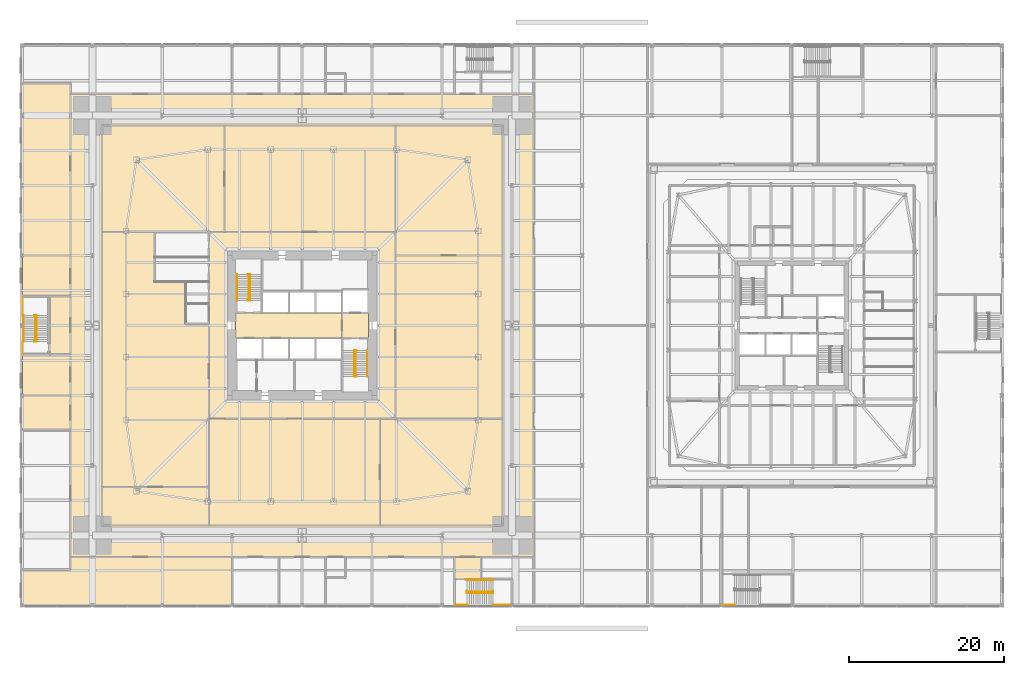
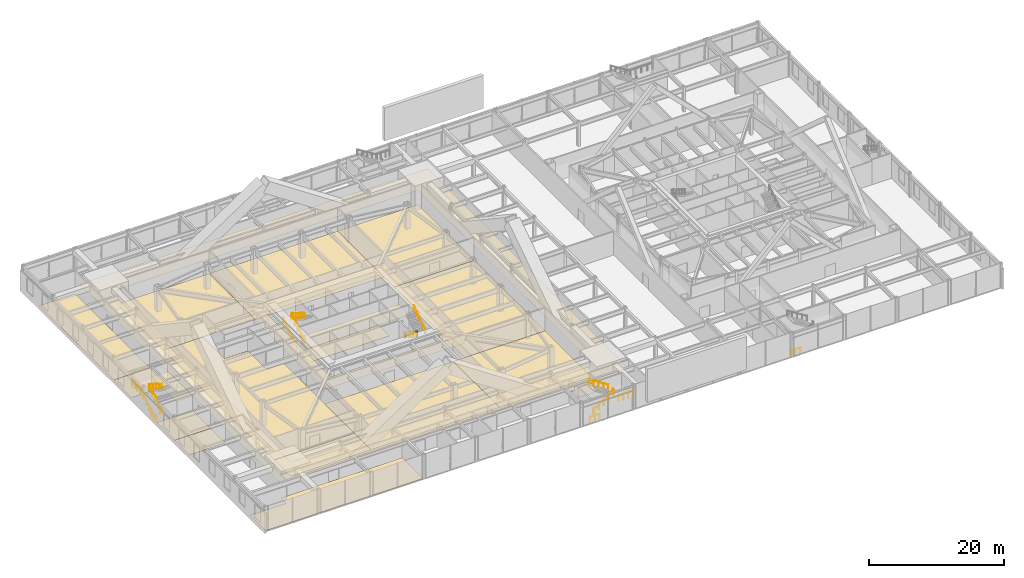
# One storey, part 30 of 32: 20 coverings, 17 railings.
"""IFC4 building model written with IfcOpenShell, lengths in metres."""

from ifc_helpers import new_model, si_unit, direction, frame, origin, origin_2d, place, context, subcontext, project, spatial, polyline, circle, outline, extrude, material, layer, layer_set, constituent, constituent_set, type_object, element, save


model = new_model("IFC4")

# Units and contexts
model_context = context("Model", 3, precision=1e-05, world=origin(), true_north=direction((0.0, 1.0)))
body_context = subcontext(model_context, "Body", "Model", "MODEL_VIEW")
ifc_project = project(units=[si_unit("LENGTHUNIT", "METRE"), si_unit("AREAUNIT", "SQUARE_METRE"), si_unit("VOLUMEUNIT", "CUBIC_METRE"), si_unit("PLANEANGLEUNIT", "RADIAN"), si_unit("MASSUNIT", "GRAM", prefix="KILO")], contexts=[model_context])

# Site, building, storey
site_placement = place(None, origin())
site = spatial("IfcSite", under=ifc_project, at=site_placement, CompositionType="ELEMENT")
building_placement = place(site_placement, origin())
building = spatial("IfcBuilding", under=site, at=building_placement, Name="Iwan Alto Co-Living Towers", CompositionType="ELEMENT")
storey_placement = place(building_placement, frame((0.0, 0.0, 6.0)))
storey = spatial("IfcBuildingStorey", under=building, at=storey_placement, Name="L01", CompositionType="ELEMENT", Elevation=6.0)

# Coverings
ifc_material_1 = material(Name="Mineral fibre acoustic tiles on steel grid", Category="steel")
ifc_layer_1 = layer(ifc_material_1, 0.02001953125)
ifc_layer_set_1 = layer_set([ifc_layer_1], Name="ACOUSTIC TILE CEILING 20")
covering_type_1 = type_object("IfcCoveringType", Name="ACOUSTIC TILE CEILING 20", PredefinedType="CEILING", material=ifc_layer_set_1)
covering_1_placement = place(storey_placement, frame((0.0, 0.0, 2.60009765625)))
element("IfcCovering", 1, at=covering_1_placement, inside=storey, type_object=covering_type_1, Name="Ceiling Lift lobby L01", PredefinedType="CEILING", context=body_context, shape_type="SweptSolid", body=[
    extrude(outline(polyline([(-8.550048828125, -1.60009765625), (-8.550048828125, 1.60009765625), (5.14990234375, 1.60009765625), (5.14990234375, -1.60009765625), (-8.550048828125, -1.60009765625)])), origin(), (0.0, 0.0, 1.0), 0.02001953125),
])
covering_2_placement = place(storey_placement, frame((0.0, 0.0, 2.60009765625)))
element("IfcCovering", 2, at=covering_2_placement, inside=storey, type_object=covering_type_1, Name="Ceiling Firefighting lobby L01", PredefinedType="CEILING", context=body_context, shape_type="SweptSolid", body=[
    extrude(outline(polyline([(5.14990234375, -1.60009765625), (5.14990234375, 1.60009765625), (8.550048828125, 1.60009765625), (8.550048828125, -1.60009765625), (5.14990234375, -1.60009765625)])), origin(), (0.0, 0.0, 1.0), 0.02001953125),
])

# Railings
ifc_material_2 = material(Name="Steel ASTM A500 Gr C", Category="steel")
ifc_constituent_1 = constituent(ifc_material_2, Name="Rails and posts", Category="Framing")
ifc_material_3 = material(Name="Steel ASTM A36", Category="steel")
ifc_constituent_2 = constituent(ifc_material_3, Name="Bar infill", Category="Infill")
ifc_constituent_set = constituent_set(constituents=[ifc_constituent_1, ifc_constituent_2], Name="STAIR GUARD 1100")
railing_type_1 = type_object("IfcRailingType", Name="STAIR GUARD 1100", PredefinedType="GUARDRAIL", material=ifc_constituent_set)
railing_1_placement = place(storey_placement, frame((-34.300048828125, -2.080078125, 0.0)))
element("IfcRailing", 3, at=railing_1_placement, inside=storey, type_object=railing_type_1, Name="Stair PS1 well guard L01", PredefinedType="GUARDRAIL", context=body_context, shape_type="SweptSolid", body=[
    extrude(circle(Radius=0.02392578125, at=origin_2d()), frame((0.0, 0.0, 1.076171875), z_axis=(0.0, 0.830915400975, 0.556398774641), x_axis=(-1.0, 0.0, 0.0)), (0.0, 0.0, 1.0), 4.0439453125),
    extrude(circle(Radius=0.02392578125, at=origin_2d()), frame((-0.14990234375, 0.0, 1.076171875), z_axis=(1.0, 0.0, 0.0), x_axis=(0.0, 1.0, 0.0)), (0.0, 0.0, 1.0), 0.300048828125),
    extrude(circle(Radius=0.02392578125, at=origin_2d()), frame((-0.14990234375, 3.360107421875, 3.326171875), z_axis=(1.0, 0.0, 0.0), x_axis=(0.0, 1.0, 0.0)), (0.0, 0.0, 1.0), 0.300048828125),
    extrude(circle(Radius=0.02099609375, at=origin_2d()), origin(), (0.0, 0.0, 1.0), 1.052001953125),
    extrude(circle(Radius=0.02099609375, at=origin_2d()), frame((0.0, 0.840087890625, 0.5625)), (0.0, 0.0, 1.0), 1.052001953125),
    extrude(circle(Radius=0.02099609375, at=origin_2d()), frame((0.0, 1.68017578125, 1.125)), (0.0, 0.0, 1.0), 1.052001953125),
    extrude(circle(Radius=0.02099609375, at=origin_2d()), frame((0.0, 2.52001953125, 1.6875)), (0.0, 0.0, 1.0), 1.052001953125),
    extrude(circle(Radius=0.02099609375, at=origin_2d()), frame((0.0, 3.360107421875, 2.25)), (0.0, 0.0, 1.0), 1.052001953125),
    extrude(circle(Radius=0.02099609375, at=origin_2d()), frame((-0.14990234375, 0.0, 0.0)), (0.0, 0.0, 1.0), 1.052001953125),
    extrude(circle(Radius=0.02099609375, at=origin_2d()), frame((0.150146484375, 0.0, 0.0)), (0.0, 0.0, 1.0), 1.052001953125),
    extrude(circle(Radius=0.02099609375, at=origin_2d()), frame((-0.14990234375, 3.360107421875, 2.25)), (0.0, 0.0, 1.0), 1.052001953125),
    extrude(circle(Radius=0.02099609375, at=origin_2d()), frame((0.150146484375, 3.360107421875, 2.25)), (0.0, 0.0, 1.0), 1.052001953125),
])
railing_2_placement = place(storey_placement, frame((-35.93994140625, -3.64990234375, 0.0)))
element("IfcRailing", 4, at=railing_2_placement, inside=storey, type_object=railing_type_1, Name="Stair PS1 edge guard L01 1", PredefinedType="GUARDRAIL", context=body_context, shape_type="SweptSolid", body=[
    extrude(circle(Radius=0.02392578125, at=origin_2d()), frame((0.0, 0.0, 1.076171875), z_axis=(0.0, 1.0, 0.0), x_axis=(-1.0, 0.0, 0.0)), (0.0, 0.0, 1.0), 1.619873046875),
    extrude(circle(Radius=0.02099609375, at=origin_2d()), origin(), (0.0, 0.0, 1.0), 1.052001953125),
    extrude(circle(Radius=0.02099609375, at=origin_2d()), frame((0.0, 0.81005859375, 0.0)), (0.0, 0.0, 1.0), 1.052001953125),
    extrude(circle(Radius=0.02099609375, at=origin_2d()), frame((0.0, 1.619873046875, 0.0)), (0.0, 0.0, 1.0), 1.052001953125),
])
railing_3_placement = place(storey_placement, frame((-35.93994140625, 1.22998046875, 2.25)))
element("IfcRailing", 5, at=railing_3_placement, inside=storey, type_object=railing_type_1, Name="Stair PS1 edge guard L01 2", PredefinedType="GUARDRAIL", context=body_context, shape_type="SweptSolid", body=[
    extrude(circle(Radius=0.02392578125, at=origin_2d()), frame((0.0, 0.0, 1.076171875), z_axis=(0.0, 1.0, 0.0), x_axis=(-1.0, 0.0, 0.0)), (0.0, 0.0, 1.0), 2.419921875),
    extrude(circle(Radius=0.02099609375, at=origin_2d()), origin(), (0.0, 0.0, 1.0), 1.052001953125),
    extrude(circle(Radius=0.02099609375, at=origin_2d()), frame((0.0, 0.806640625, 0.0)), (0.0, 0.0, 1.0), 1.052001953125),
    extrude(circle(Radius=0.02099609375, at=origin_2d()), frame((0.0, 1.61328125, 0.0)), (0.0, 0.0, 1.0), 1.052001953125),
    extrude(circle(Radius=0.02099609375, at=origin_2d()), frame((0.0, 2.419921875, 0.0)), (0.0, 0.0, 1.0), 1.052001953125),
])
railing_4_placement = place(storey_placement, frame((21.219970703125, -34.300048828125, 0.0)))
element("IfcRailing", 6, at=railing_4_placement, inside=storey, type_object=railing_type_1, Name="Stair PS4 well guard L01", PredefinedType="GUARDRAIL", context=body_context, shape_type="SweptSolid", body=[
    extrude(circle(Radius=0.02392578125, at=origin_2d()), frame((0.0, 0.0, 1.076171875), z_axis=(0.830915400975, 0.0, 0.556398774641), x_axis=(0.0, 1.0, 0.0)), (0.0, 0.0, 1.0), 4.0439453125),
    extrude(circle(Radius=0.02392578125, at=origin_2d()), frame((0.0, -0.14990234375, 1.076171875), z_axis=(0.0, 1.0, 0.0), x_axis=(-1.0, 0.0, 0.0)), (0.0, 0.0, 1.0), 0.300048828125),
    extrude(circle(Radius=0.02392578125, at=origin_2d()), frame((3.360107421875, -0.14990234375, 3.326171875), z_axis=(0.0, 1.0, 0.0), x_axis=(-1.0, 0.0, 0.0)), (0.0, 0.0, 1.0), 0.300048828125),
    extrude(circle(Radius=0.02099609375, at=origin_2d()), origin(), (0.0, 0.0, 1.0), 1.052001953125),
    extrude(circle(Radius=0.02099609375, at=origin_2d()), frame((0.840087890625, 0.0, 0.5625)), (0.0, 0.0, 1.0), 1.052001953125),
    extrude(circle(Radius=0.02099609375, at=origin_2d()), frame((1.68017578125, 0.0, 1.125)), (0.0, 0.0, 1.0), 1.052001953125),
    extrude(circle(Radius=0.02099609375, at=origin_2d()), frame((2.52001953125, 0.0, 1.6875)), (0.0, 0.0, 1.0), 1.052001953125),
    extrude(circle(Radius=0.02099609375, at=origin_2d()), frame((3.360107421875, 0.0, 2.25)), (0.0, 0.0, 1.0), 1.052001953125),
    extrude(circle(Radius=0.02099609375, at=origin_2d()), frame((0.0, -0.14990234375, 0.0)), (0.0, 0.0, 1.0), 1.052001953125),
    extrude(circle(Radius=0.02099609375, at=origin_2d()), frame((0.0, 0.150146484375, 0.0)), (0.0, 0.0, 1.0), 1.052001953125),
    extrude(circle(Radius=0.02099609375, at=origin_2d()), frame((3.360107421875, -0.14990234375, 2.25)), (0.0, 0.0, 1.0), 1.052001953125),
    extrude(circle(Radius=0.02099609375, at=origin_2d()), frame((3.360107421875, 0.150146484375, 2.25)), (0.0, 0.0, 1.0), 1.052001953125),
])
railing_5_placement = place(storey_placement, frame((19.64990234375, -35.93994140625, 0.0)))
element("IfcRailing", 7, at=railing_5_placement, inside=storey, type_object=railing_type_1, Name="Stair PS4 edge guard L01 1", PredefinedType="GUARDRAIL", context=body_context, shape_type="SweptSolid", body=[
    extrude(circle(Radius=0.02392578125, at=origin_2d()), frame((0.0, 0.0, 1.076171875), z_axis=(1.0, 0.0, 0.0), x_axis=(0.0, 1.0, 0.0)), (0.0, 0.0, 1.0), 1.6201171875),
    extrude(circle(Radius=0.02099609375, at=origin_2d()), origin(), (0.0, 0.0, 1.0), 1.052001953125),
    extrude(circle(Radius=0.02099609375, at=origin_2d()), frame((0.81005859375, 0.0, 0.0)), (0.0, 0.0, 1.0), 1.052001953125),
    extrude(circle(Radius=0.02099609375, at=origin_2d()), frame((1.6201171875, 0.0, 0.0)), (0.0, 0.0, 1.0), 1.052001953125),
])
railing_6_placement = place(storey_placement, frame((24.530029296875, -35.93994140625, 2.25)))
element("IfcRailing", 8, at=railing_6_placement, inside=storey, type_object=railing_type_1, Name="Stair PS4 edge guard L01 2", PredefinedType="GUARDRAIL", context=body_context, shape_type="SweptSolid", body=[
    extrude(circle(Radius=0.02392578125, at=origin_2d()), frame((0.0, 0.0, 1.076171875), z_axis=(1.0, 0.0, 0.0), x_axis=(0.0, 1.0, 0.0)), (0.0, 0.0, 1.0), 2.419921875),
    extrude(circle(Radius=0.02099609375, at=origin_2d()), origin(), (0.0, 0.0, 1.0), 1.052001953125),
    extrude(circle(Radius=0.02099609375, at=origin_2d()), frame((0.806640625, 0.0, 0.0)), (0.0, 0.0, 1.0), 1.052001953125),
    extrude(circle(Radius=0.02099609375, at=origin_2d()), frame((1.61328125, 0.0, 0.0)), (0.0, 0.0, 1.0), 1.052001953125),
    extrude(circle(Radius=0.02099609375, at=origin_2d()), frame((2.419921875, 0.0, 0.0)), (0.0, 0.0, 1.0), 1.052001953125),
])
railing_7_placement = place(storey_placement, frame((54.050048828125, -35.93994140625, 0.0)))
element("IfcRailing", 9, at=railing_7_placement, inside=storey, type_object=railing_type_1, Name="Stair PS6 edge guard L01 1", PredefinedType="GUARDRAIL", context=body_context, shape_type="SweptSolid", body=[
    extrude(circle(Radius=0.02392578125, at=origin_2d()), frame((0.0, 0.0, 1.076171875), z_axis=(1.0, 0.0, 0.0), x_axis=(0.0, 1.0, 0.0)), (0.0, 0.0, 1.0), 1.619873046875),
    extrude(circle(Radius=0.02099609375, at=origin_2d()), origin(), (0.0, 0.0, 1.0), 1.052001953125),
    extrude(circle(Radius=0.02099609375, at=origin_2d()), frame((0.81005859375, 0.0, 0.0)), (0.0, 0.0, 1.0), 1.052001953125),
    extrude(circle(Radius=0.02099609375, at=origin_2d()), frame((1.619873046875, 0.0, 0.0)), (0.0, 0.0, 1.0), 1.052001953125),
])
railing_8_placement = place(storey_placement, frame((-6.85009765625, 3.219970703125, 0.0)))
element("IfcRailing", 10, at=railing_8_placement, inside=storey, type_object=railing_type_1, Name="Stair T1-S1 well guard L01", PredefinedType="GUARDRAIL", context=body_context, shape_type="SweptSolid", body=[
    extrude(circle(Radius=0.02392578125, at=origin_2d()), frame((0.0, 0.0, 1.076171875), z_axis=(0.0, 0.830915400975, 0.556398774641), x_axis=(-1.0, 0.0, 0.0)), (0.0, 0.0, 1.0), 4.0439453125),
    extrude(circle(Radius=0.02392578125, at=origin_2d()), frame((-0.14990234375, 0.0, 1.076171875), z_axis=(1.0, 0.0, 0.0), x_axis=(0.0, 1.0, 0.0)), (0.0, 0.0, 1.0), 0.300048828125),
    extrude(circle(Radius=0.02392578125, at=origin_2d()), frame((-0.14990234375, 3.360107421875, 3.326171875), z_axis=(1.0, 0.0, 0.0), x_axis=(0.0, 1.0, 0.0)), (0.0, 0.0, 1.0), 0.300048828125),
    extrude(circle(Radius=0.02099609375, at=origin_2d()), origin(), (0.0, 0.0, 1.0), 1.052001953125),
    extrude(circle(Radius=0.02099609375, at=origin_2d()), frame((0.0, 0.840087890625, 0.5625)), (0.0, 0.0, 1.0), 1.052001953125),
    extrude(circle(Radius=0.02099609375, at=origin_2d()), frame((0.0, 1.68017578125, 1.125)), (0.0, 0.0, 1.0), 1.052001953125),
    extrude(circle(Radius=0.02099609375, at=origin_2d()), frame((0.0, 2.52001953125, 1.6875)), (0.0, 0.0, 1.0), 1.052001953125),
    extrude(circle(Radius=0.02099609375, at=origin_2d()), frame((0.0, 3.360107421875, 2.25)), (0.0, 0.0, 1.0), 1.052001953125),
    extrude(circle(Radius=0.02099609375, at=origin_2d()), frame((-0.14990234375, 0.0, 0.0)), (0.0, 0.0, 1.0), 1.052001953125),
    extrude(circle(Radius=0.02099609375, at=origin_2d()), frame((0.150146484375, 0.0, 0.0)), (0.0, 0.0, 1.0), 1.052001953125),
    extrude(circle(Radius=0.02099609375, at=origin_2d()), frame((-0.14990234375, 3.360107421875, 2.25)), (0.0, 0.0, 1.0), 1.052001953125),
    extrude(circle(Radius=0.02099609375, at=origin_2d()), frame((0.150146484375, 3.360107421875, 2.25)), (0.0, 0.0, 1.0), 1.052001953125),
])
railing_9_placement = place(storey_placement, frame((6.85009765625, -3.219970703125, 0.0)))
element("IfcRailing", 11, at=railing_9_placement, inside=storey, type_object=railing_type_1, Name="Stair T1-S2 well guard L01", PredefinedType="GUARDRAIL", context=body_context, shape_type="SweptSolid", body=[
    extrude(circle(Radius=0.02392578125, at=origin_2d()), frame((0.0, 0.0, 1.076171875), z_axis=(0.0, -0.830915400975, 0.556398774641), x_axis=(1.0, 0.0, 0.0)), (0.0, 0.0, 1.0), 4.0439453125),
    extrude(circle(Radius=0.02392578125, at=origin_2d()), frame((-0.150146484375, 0.0, 1.076171875), z_axis=(1.0, 0.0, 0.0), x_axis=(0.0, 1.0, 0.0)), (0.0, 0.0, 1.0), 0.300048828125),
    extrude(circle(Radius=0.02392578125, at=origin_2d()), frame((-0.150146484375, -3.360107421875, 3.326171875), z_axis=(1.0, 0.0, 0.0), x_axis=(0.0, 1.0, 0.0)), (0.0, 0.0, 1.0), 0.300048828125),
    extrude(circle(Radius=0.02099609375, at=origin_2d()), origin(), (0.0, 0.0, 1.0), 1.052001953125),
    extrude(circle(Radius=0.02099609375, at=origin_2d()), frame((0.0, -0.840087890625, 0.5625)), (0.0, 0.0, 1.0), 1.052001953125),
    extrude(circle(Radius=0.02099609375, at=origin_2d()), frame((0.0, -1.68017578125, 1.125)), (0.0, 0.0, 1.0), 1.052001953125),
    extrude(circle(Radius=0.02099609375, at=origin_2d()), frame((0.0, -2.52001953125, 1.6875)), (0.0, 0.0, 1.0), 1.052001953125),
    extrude(circle(Radius=0.02099609375, at=origin_2d()), frame((0.0, -3.360107421875, 2.25)), (0.0, 0.0, 1.0), 1.052001953125),
    extrude(circle(Radius=0.02099609375, at=origin_2d()), frame((-0.150146484375, 0.0, 0.0)), (0.0, 0.0, 1.0), 1.052001953125),
    extrude(circle(Radius=0.02099609375, at=origin_2d()), frame((0.14990234375, 0.0, 0.0)), (0.0, 0.0, 1.0), 1.052001953125),
    extrude(circle(Radius=0.02099609375, at=origin_2d()), frame((-0.150146484375, -3.360107421875, 2.25)), (0.0, 0.0, 1.0), 1.052001953125),
    extrude(circle(Radius=0.02099609375, at=origin_2d()), frame((0.14990234375, -3.360107421875, 2.25)), (0.0, 0.0, 1.0), 1.052001953125),
])
ifc_material_4 = material(Name="Steel ASTM A500 Gr C", Category="steel")
railing_type_2 = type_object("IfcRailingType", Name="STAIR HANDRAIL 900", PredefinedType="HANDRAIL", material=ifc_material_4)
railing_10_placement = place(storey_placement, frame((-35.830078125, -2.080078125, 0.173095703125)))
element("IfcRailing", 12, at=railing_10_placement, inside=storey, type_object=railing_type_2, Name="Stair PS1 handrail 1 L01", PredefinedType="HANDRAIL", context=body_context, shape_type="SweptSolid", body=[
    extrude(circle(Radius=0.02392578125, at=origin_2d()), frame((0.0, 0.0, 0.8759765625), z_axis=(0.0, 0.850623216509, 0.525775754039), x_axis=(-1.0, 0.0, 0.0)), (0.0, 0.0, 1.0), 3.9501953125),
    extrude(circle(Radius=0.02099609375, at=origin_2d()), origin(), (0.0, 0.0, 1.0), 0.851806640625),
    extrude(circle(Radius=0.02099609375, at=origin_2d()), frame((0.0, 0.840087890625, 0.519287109375)), (0.0, 0.0, 1.0), 0.851806640625),
    extrude(circle(Radius=0.02099609375, at=origin_2d()), frame((0.0, 1.68017578125, 1.03857421875)), (0.0, 0.0, 1.0), 0.851806640625),
    extrude(circle(Radius=0.02099609375, at=origin_2d()), frame((0.0, 2.52001953125, 1.5576171875)), (0.0, 0.0, 1.0), 0.851806640625),
    extrude(circle(Radius=0.02099609375, at=origin_2d()), frame((0.0, 3.360107421875, 2.076904296875)), (0.0, 0.0, 1.0), 0.851806640625),
])
railing_11_placement = place(storey_placement, frame((-34.14990234375, 1.280029296875, 2.423095703125)))
element("IfcRailing", 13, at=railing_11_placement, inside=storey, type_object=railing_type_2, Name="Stair PS1 handrail 2 L01", PredefinedType="HANDRAIL", context=body_context, shape_type="SweptSolid", body=[
    extrude(circle(Radius=0.02392578125, at=origin_2d()), frame((0.0, 0.0, 0.8759765625), z_axis=(0.0, -0.850623216509, 0.525775754039), x_axis=(1.0, 0.0, 0.0)), (0.0, 0.0, 1.0), 3.9501953125),
    extrude(circle(Radius=0.02099609375, at=origin_2d()), origin(), (0.0, 0.0, 1.0), 0.851806640625),
    extrude(circle(Radius=0.02099609375, at=origin_2d()), frame((0.0, -0.840087890625, 0.519287109375)), (0.0, 0.0, 1.0), 0.851806640625),
    extrude(circle(Radius=0.02099609375, at=origin_2d()), frame((0.0, -1.68017578125, 1.03857421875)), (0.0, 0.0, 1.0), 0.851806640625),
    extrude(circle(Radius=0.02099609375, at=origin_2d()), frame((0.0, -2.52001953125, 1.5576171875)), (0.0, 0.0, 1.0), 0.851806640625),
    extrude(circle(Radius=0.02099609375, at=origin_2d()), frame((0.0, -3.360107421875, 2.076904296875)), (0.0, 0.0, 1.0), 0.851806640625),
])
railing_12_placement = place(storey_placement, frame((21.219970703125, -34.449951171875, 0.173095703125)))
element("IfcRailing", 14, at=railing_12_placement, inside=storey, type_object=railing_type_2, Name="Stair PS4 handrail 1 L01", PredefinedType="HANDRAIL", context=body_context, shape_type="SweptSolid", body=[
    extrude(circle(Radius=0.02392578125, at=origin_2d()), frame((0.0, 0.0, 0.8759765625), z_axis=(0.850623216509, 0.0, 0.525775754039), x_axis=(0.0, 1.0, 0.0)), (0.0, 0.0, 1.0), 3.9501953125),
    extrude(circle(Radius=0.02099609375, at=origin_2d()), origin(), (0.0, 0.0, 1.0), 0.851806640625),
    extrude(circle(Radius=0.02099609375, at=origin_2d()), frame((0.840087890625, 0.0, 0.519287109375)), (0.0, 0.0, 1.0), 0.851806640625),
    extrude(circle(Radius=0.02099609375, at=origin_2d()), frame((1.68017578125, 0.0, 1.03857421875)), (0.0, 0.0, 1.0), 0.851806640625),
    extrude(circle(Radius=0.02099609375, at=origin_2d()), frame((2.52001953125, 0.0, 1.5576171875)), (0.0, 0.0, 1.0), 0.851806640625),
    extrude(circle(Radius=0.02099609375, at=origin_2d()), frame((3.360107421875, 0.0, 2.076904296875)), (0.0, 0.0, 1.0), 0.851806640625),
])
railing_13_placement = place(storey_placement, frame((24.580078125, -32.77001953125, 2.423095703125)))
element("IfcRailing", 15, at=railing_13_placement, inside=storey, type_object=railing_type_2, Name="Stair PS4 handrail 2 L01", PredefinedType="HANDRAIL", context=body_context, shape_type="SweptSolid", body=[
    extrude(circle(Radius=0.02392578125, at=origin_2d()), frame((0.0, 0.0, 0.8759765625), z_axis=(-0.850623216509, 0.0, 0.525775754039), x_axis=(0.0, -1.0, 0.0)), (0.0, 0.0, 1.0), 3.9501953125),
    extrude(circle(Radius=0.02099609375, at=origin_2d()), origin(), (0.0, 0.0, 1.0), 0.851806640625),
    extrude(circle(Radius=0.02099609375, at=origin_2d()), frame((-0.840087890625, 0.0, 0.519287109375)), (0.0, 0.0, 1.0), 0.851806640625),
    extrude(circle(Radius=0.02099609375, at=origin_2d()), frame((-1.68017578125, 0.0, 1.03857421875)), (0.0, 0.0, 1.0), 0.851806640625),
    extrude(circle(Radius=0.02099609375, at=origin_2d()), frame((-2.52001953125, 0.0, 1.5576171875)), (0.0, 0.0, 1.0), 0.851806640625),
    extrude(circle(Radius=0.02099609375, at=origin_2d()), frame((-3.360107421875, 0.0, 2.076904296875)), (0.0, 0.0, 1.0), 0.851806640625),
])
railing_14_placement = place(storey_placement, frame((-8.3798828125, 3.219970703125, 0.173095703125)))
element("IfcRailing", 16, at=railing_14_placement, inside=storey, type_object=railing_type_2, Name="Stair T1-S1 handrail 1 L01", PredefinedType="HANDRAIL", context=body_context, shape_type="SweptSolid", body=[
    extrude(circle(Radius=0.02392578125, at=origin_2d()), frame((0.0, 0.0, 0.8759765625), z_axis=(0.0, 0.850623216509, 0.525775754039), x_axis=(-1.0, 0.0, 0.0)), (0.0, 0.0, 1.0), 3.9501953125),
    extrude(circle(Radius=0.02099609375, at=origin_2d()), origin(), (0.0, 0.0, 1.0), 0.851806640625),
    extrude(circle(Radius=0.02099609375, at=origin_2d()), frame((0.0, 0.840087890625, 0.519287109375)), (0.0, 0.0, 1.0), 0.851806640625),
    extrude(circle(Radius=0.02099609375, at=origin_2d()), frame((0.0, 1.68017578125, 1.03857421875)), (0.0, 0.0, 1.0), 0.851806640625),
    extrude(circle(Radius=0.02099609375, at=origin_2d()), frame((0.0, 2.52001953125, 1.5576171875)), (0.0, 0.0, 1.0), 0.851806640625),
    extrude(circle(Radius=0.02099609375, at=origin_2d()), frame((0.0, 3.360107421875, 2.076904296875)), (0.0, 0.0, 1.0), 0.851806640625),
])
for number, where, name in (
    (17, (-6.699951171875, 6.580078125, 2.423095703125), "Stair T1-S1 handrail 2 L01"),
    (18, (6.699951171875, -3.219970703125, 0.173095703125), "Stair T1-S2 handrail 1 L01"),
):
    element("IfcRailing", number, at=place(storey_placement, frame(where)), inside=storey, type_object=railing_type_2, Name=name, PredefinedType="HANDRAIL", context=body_context, shape_type="SweptSolid", body=[
        extrude(circle(Radius=0.02392578125, at=origin_2d()), frame((0.0, 0.0, 0.8759765625), z_axis=(0.0, -0.850623216509, 0.525775754039), x_axis=(1.0, 0.0, 0.0)), (0.0, 0.0, 1.0), 3.9501953125),
        extrude(circle(Radius=0.02099609375, at=origin_2d()), origin(), (0.0, 0.0, 1.0), 0.851806640625),
        extrude(circle(Radius=0.02099609375, at=origin_2d()), frame((0.0, -0.840087890625, 0.519287109375)), (0.0, 0.0, 1.0), 0.851806640625),
        extrude(circle(Radius=0.02099609375, at=origin_2d()), frame((0.0, -1.68017578125, 1.03857421875)), (0.0, 0.0, 1.0), 0.851806640625),
        extrude(circle(Radius=0.02099609375, at=origin_2d()), frame((0.0, -2.52001953125, 1.5576171875)), (0.0, 0.0, 1.0), 0.851806640625),
        extrude(circle(Radius=0.02099609375, at=origin_2d()), frame((0.0, -3.360107421875, 2.076904296875)), (0.0, 0.0, 1.0), 0.851806640625),
    ])
railing_15_placement = place(storey_placement, frame((8.3798828125, -6.580078125, 2.423095703125)))
element("IfcRailing", 19, at=railing_15_placement, inside=storey, type_object=railing_type_2, Name="Stair T1-S2 handrail 2 L01", PredefinedType="HANDRAIL", context=body_context, shape_type="SweptSolid", body=[
    extrude(circle(Radius=0.02392578125, at=origin_2d()), frame((0.0, 0.0, 0.8759765625), z_axis=(0.0, 0.850623216509, 0.525775754039), x_axis=(-1.0, 0.0, 0.0)), (0.0, 0.0, 1.0), 3.9501953125),
    extrude(circle(Radius=0.02099609375, at=origin_2d()), origin(), (0.0, 0.0, 1.0), 0.851806640625),
    extrude(circle(Radius=0.02099609375, at=origin_2d()), frame((0.0, 0.840087890625, 0.519287109375)), (0.0, 0.0, 1.0), 0.851806640625),
    extrude(circle(Radius=0.02099609375, at=origin_2d()), frame((0.0, 1.68017578125, 1.03857421875)), (0.0, 0.0, 1.0), 0.851806640625),
    extrude(circle(Radius=0.02099609375, at=origin_2d()), frame((0.0, 2.52001953125, 1.5576171875)), (0.0, 0.0, 1.0), 0.851806640625),
    extrude(circle(Radius=0.02099609375, at=origin_2d()), frame((0.0, 3.360107421875, 2.076904296875)), (0.0, 0.0, 1.0), 0.851806640625),
])

# Coverings
ifc_material_5 = material(Name="Gypsum plasterboard on steel grid", Category="steel")
ifc_layer_2 = layer(ifc_material_5, 0.014892578125)
ifc_layer_set_2 = layer_set([ifc_layer_2], Name="SUSPENDED PLASTERBOARD CEILING 15")
covering_type_2 = type_object("IfcCoveringType", Name="SUSPENDED PLASTERBOARD CEILING 15", PredefinedType="CEILING", material=ifc_layer_set_2)
covering_3_placement = place(storey_placement, frame((0.0, 0.0, 2.60009765625)))
element("IfcCovering", 20, at=covering_3_placement, inside=storey, type_object=covering_type_2, Name="Ceiling Corridor L01", PredefinedType="CEILING", context=body_context, shape_type="SweptSolid", body=[
    extrude(outline(polyline([(-12.0, 12.0), (12.0, 12.0), (12.0, -12.0), (-12.0, -12.0), (-12.0, 12.0)]), holes=[polyline([(-9.60009765625, 9.60009765625), (-9.60009765625, -9.60009765625), (9.60009765625, -9.60009765625), (9.60009765625, 9.60009765625), (-9.60009765625, 9.60009765625)])]), origin(), (0.0, 0.0, 1.0), 0.014892578125),
])
covering_4_placement = place(storey_placement, frame((0.0, 0.0, 2.60009765625)))
element("IfcCovering", 21, at=covering_4_placement, inside=storey, type_object=covering_type_2, Name="Ceiling Gallery T1 L01", PredefinedType="CEILING", context=body_context, shape_type="SweptSolid", body=[
    extrude(outline(polyline([(19.60009765625, 29.800048828125), (23.0, 29.800048828125), (29.800048828125, 29.800048828125), (29.800048828125, -29.800048828125), (23.0, -29.800048828125), (19.60009765625, -29.800048828125), (-29.800048828125, -29.800048828125), (-29.800048828125, 29.800048828125), (19.60009765625, 29.800048828125)]), holes=[polyline([(-25.75, -25.75), (25.75, -25.75), (25.75, 25.75), (-25.75, 25.75), (-25.75, -25.75)])]), origin(), (0.0, 0.0, 1.0), 0.014892578125),
])
covering_5_placement = place(storey_placement, frame((0.0, 0.0, 2.60009765625)))
element("IfcCovering", 22, at=covering_5_placement, inside=storey, type_object=covering_type_2, Name="Ceiling Stair lobby L01", PredefinedType="CEILING", context=body_context, shape_type="SweptSolid", body=[
    extrude(outline(polyline([(-32.60009765625, -3.699951171875), (-32.60009765625, 3.699951171875), (-29.800048828125, 3.699951171875), (-29.800048828125, -3.699951171875), (-32.60009765625, -3.699951171875)])), origin(), (0.0, 0.0, 1.0), 0.014892578125),
])
covering_6_placement = place(storey_placement, frame((0.0, 0.0, 2.60009765625)))
element("IfcCovering", 23, at=covering_6_placement, inside=storey, type_object=covering_type_2, Name="Ceiling Stair lobby L01", PredefinedType="CEILING", context=body_context, shape_type="SweptSolid", body=[
    extrude(outline(polyline([(19.60009765625, -32.60009765625), (19.60009765625, -29.800048828125), (23.0, -29.800048828125), (23.0, -32.60009765625), (19.60009765625, -32.60009765625)])), origin(), (0.0, 0.0, 1.0), 0.014892578125),
])
ifc_material_6 = material(Name="Bronze-strip terrazzo")
ifc_layer_3 = layer(ifc_material_6, 0.030029296875)
ifc_layer_set_3 = layer_set([ifc_layer_3], Name="TERRAZZO FLOOR FINISH 30")
covering_type_3 = type_object("IfcCoveringType", Name="TERRAZZO FLOOR FINISH 30", PredefinedType="FLOORING", material=ifc_layer_set_3)
covering_7_placement = place(storey_placement, origin())
element("IfcCovering", 24, at=covering_7_placement, inside=storey, type_object=covering_type_3, Name="Floor finish Lift lobby L01", PredefinedType="FLOORING", context=body_context, shape_type="SweptSolid", body=[
    extrude(outline(polyline([(-8.550048828125, -1.60009765625), (-8.550048828125, 1.60009765625), (5.14990234375, 1.60009765625), (5.14990234375, -1.60009765625), (-8.550048828125, -1.60009765625)])), origin(), (0.0, 0.0, 1.0), 0.030029296875),
])
ifc_material_7 = material(Name="Engineered oak boards")
ifc_layer_4 = layer(ifc_material_7, 0.02001953125)
ifc_layer_set_4 = layer_set([ifc_layer_4], Name="TIMBER FLOOR FINISH 20")
covering_type_4 = type_object("IfcCoveringType", Name="TIMBER FLOOR FINISH 20", PredefinedType="FLOORING", material=ifc_layer_set_4)
covering_8_placement = place(storey_placement, origin())
element("IfcCovering", 25, at=covering_8_placement, inside=storey, type_object=covering_type_4, Name="Floor finish Dining hall L01", PredefinedType="FLOORING", context=body_context, shape_type="SweptSolid", body=[
    extrude(outline(polyline([(-12.0, -25.75), (-12.0, -12.0), (10.0, -12.0), (10.0, -25.75), (-12.0, -25.75)])), origin(), (0.0, 0.0, 1.0), 0.02001953125),
])
covering_9_placement = place(storey_placement, origin())
element("IfcCovering", 26, at=covering_9_placement, inside=storey, type_object=covering_type_4, Name="Floor finish Servery and dining kitchen L01", PredefinedType="FLOORING", context=body_context, shape_type="SweptSolid", body=[
    extrude(outline(polyline([(10.0, -25.75), (10.0, -12.0), (25.75, -12.0), (25.75, -25.75), (10.0, -25.75)])), origin(), (0.0, 0.0, 1.0), 0.02001953125),
])
covering_10_placement = place(storey_placement, origin())
element("IfcCovering", 27, at=covering_10_placement, inside=storey, type_object=covering_type_4, Name="Floor finish Residents' study hall L01", PredefinedType="FLOORING", context=body_context, shape_type="SweptSolid", body=[
    extrude(outline(polyline([(12.0, -12.0), (12.0, 9.0), (25.75, 9.0), (25.75, -12.0), (12.0, -12.0)])), origin(), (0.0, 0.0, 1.0), 0.02001953125),
])
covering_11_placement = place(storey_placement, origin())
element("IfcCovering", 28, at=covering_11_placement, inside=storey, type_object=covering_type_4, Name="Floor finish Meeting room L01", PredefinedType="FLOORING", context=body_context, shape_type="SweptSolid", body=[
    extrude(outline(polyline([(12.0, 9.0), (12.0, 25.75), (25.75, 25.75), (25.75, 9.0), (12.0, 9.0)])), origin(), (0.0, 0.0, 1.0), 0.02001953125),
])
covering_12_placement = place(storey_placement, origin())
element("IfcCovering", 29, at=covering_12_placement, inside=storey, type_object=covering_type_4, Name="Floor finish Co-working studio L01", PredefinedType="FLOORING", context=body_context, shape_type="SweptSolid", body=[
    extrude(outline(polyline([(-10.0, 12.0), (-10.0, 25.75), (12.0, 25.75), (12.0, 12.0), (-10.0, 12.0)])), origin(), (0.0, 0.0, 1.0), 0.02001953125),
])
covering_13_placement = place(storey_placement, origin())
element("IfcCovering", 30, at=covering_13_placement, inside=storey, type_object=covering_type_4, Name="Floor finish Meeting room L01", PredefinedType="FLOORING", context=body_context, shape_type="SweptSolid", body=[
    extrude(outline(polyline([(-25.75, 12.0), (-25.75, 25.75), (-10.0, 25.75), (-10.0, 12.0), (-25.75, 12.0)])), origin(), (0.0, 0.0, 1.0), 0.02001953125),
])
covering_14_placement = place(storey_placement, origin())
element("IfcCovering", 31, at=covering_14_placement, inside=storey, type_object=covering_type_4, Name="Floor finish Gym L01", PredefinedType="FLOORING", context=body_context, shape_type="SweptSolid", body=[
    extrude(outline(polyline([(-12.0, -20.800048828125), (-25.75, -20.800048828125), (-25.75, 0.199951171875), (-25.75, 2.800048828125), (-25.75, 5.60009765625), (-25.75, 8.800048828125), (-25.75, 12.0), (-19.0, 12.0), (-19.0, 8.800048828125), (-19.0, 5.60009765625), (-15.0, 5.60009765625), (-15.0, 2.800048828125), (-15.0, 0.199951171875), (-12.0, 0.199951171875), (-12.0, -20.800048828125)])), origin(), (0.0, 0.0, 1.0), 0.02001953125),
])
covering_15_placement = place(storey_placement, origin())
element("IfcCovering", 32, at=covering_15_placement, inside=storey, type_object=covering_type_4, Name="Floor finish Fitness studio L01", PredefinedType="FLOORING", context=body_context, shape_type="SweptSolid", body=[
    extrude(outline(polyline([(-25.75, -25.75), (-25.75, -20.800048828125), (-12.0, -20.800048828125), (-12.0, -25.75), (-25.75, -25.75)])), origin(), (0.0, 0.0, 1.0), 0.02001953125),
])
covering_16_placement = place(storey_placement, origin())
element("IfcCovering", 33, at=covering_16_placement, inside=storey, type_object=covering_type_4, Name="Floor finish Laundry L01", PredefinedType="FLOORING", context=body_context, shape_type="SweptSolid", body=[
    extrude(outline(polyline([(-29.800048828125, -9.0), (-29.800048828125, -13.39990234375), (-36.0, -13.39990234375), (-36.0, -9.0), (-29.800048828125, -9.0)])), origin(), (0.0, 0.0, 1.0), 0.02001953125),
])
covering_17_placement = place(storey_placement, origin())
element("IfcCovering", 34, at=covering_17_placement, inside=storey, type_object=covering_type_4, Name="Floor finish Meeting room L01", PredefinedType="FLOORING", context=body_context, shape_type="SweptSolid", body=[
    extrude(outline(polyline([(-36.0, -9.0), (-36.0, -3.699951171875), (-32.60009765625, -3.699951171875), (-29.800048828125, -3.699951171875), (-29.800048828125, -9.0), (-36.0, -9.0)])), origin(), (0.0, 0.0, 1.0), 0.02001953125),
])
covering_18_placement = place(storey_placement, origin())
element("IfcCovering", 35, at=covering_18_placement, inside=storey, type_object=covering_type_4, Name="Floor finish Meeting room L01", PredefinedType="FLOORING", context=body_context, shape_type="SweptSolid", body=[
    extrude(outline(polyline([(-29.800048828125, 3.699951171875), (-32.60009765625, 3.699951171875), (-36.0, 3.699951171875), (-36.0, 9.0), (-29.800048828125, 9.0), (-29.800048828125, 3.699951171875)])), origin(), (0.0, 0.0, 1.0), 0.02001953125),
])
covering_19_placement = place(storey_placement, origin())
element("IfcCovering", 36, at=covering_19_placement, inside=storey, type_object=covering_type_4, Name="Floor finish Music room L01", PredefinedType="FLOORING", context=body_context, shape_type="SweptSolid", body=[
    extrude(outline(polyline([(-29.800048828125, 31.14990234375), (-29.800048828125, 9.0), (-36.0, 9.0), (-36.0, 31.14990234375), (-29.800048828125, 31.14990234375)])), origin(), (0.0, 0.0, 1.0), 0.02001953125),
])
covering_20_placement = place(storey_placement, origin())
element("IfcCovering", 37, at=covering_20_placement, inside=storey, type_object=covering_type_4, Name="Floor finish Kitchen L01", PredefinedType="FLOORING", context=body_context, shape_type="SweptSolid", body=[
    extrude(outline(polyline([(-36.0, -31.39990234375), (-29.800048828125, -31.39990234375), (-29.800048828125, -29.800048828125), (-9.0, -29.800048828125), (-9.0, -36.0), (-36.0, -36.0), (-36.0, -31.39990234375)])), origin(), (0.0, 0.0, 1.0), 0.02001953125),
])

save(model, "model.ifc")
